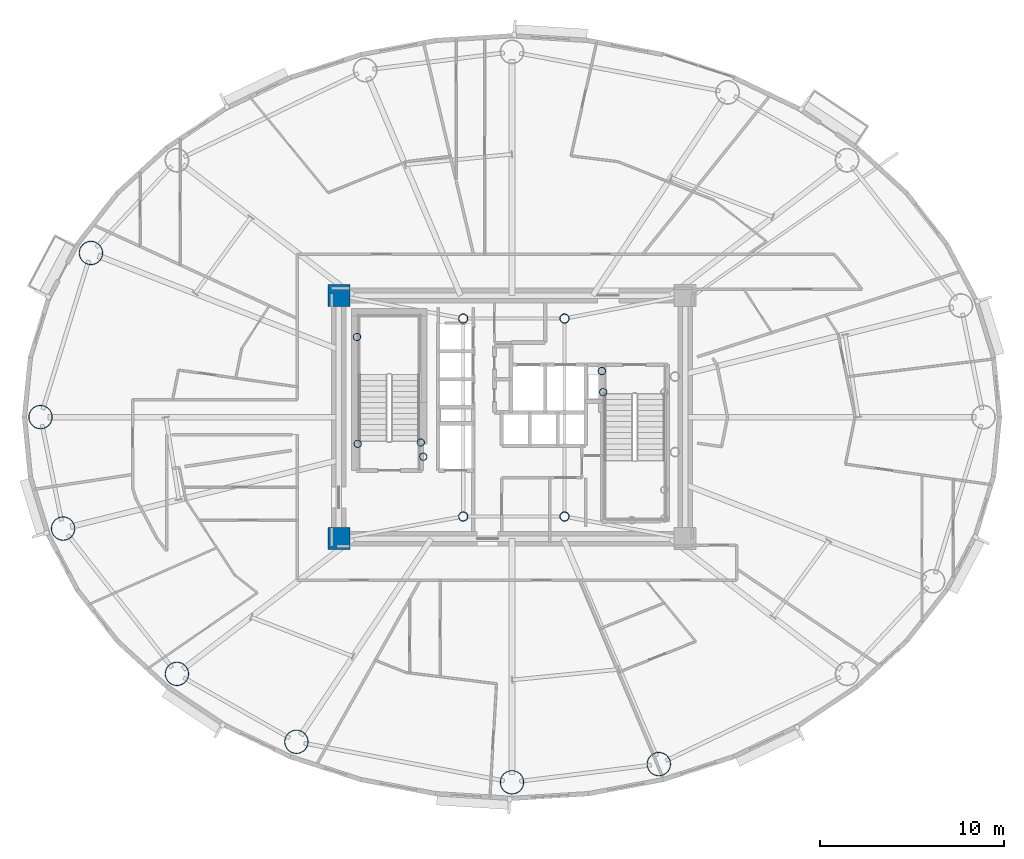
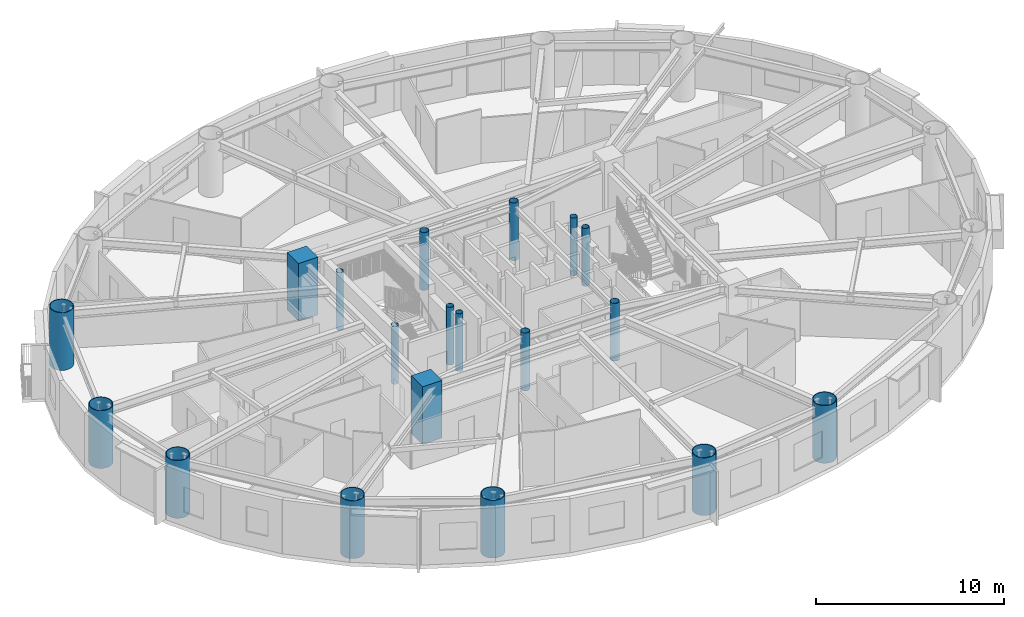
# One storey, part 1 of 21: 19 columns.
"""IFC4 building model written with IfcOpenShell, lengths in metres."""

from ifc_helpers import new_model, si_unit, direction, frame, origin, origin_2d, place, context, subcontext, project, spatial, rectangle, hollow_circle, extrude, material, material_profile, profile_set, type_object, element, save


model = new_model("IFC4")

# Units and contexts
model_context = context("Model", 3, precision=1e-05, world=origin(), true_north=direction((0.0, 1.0)))
body_context = subcontext(model_context, "Body", "Model", "MODEL_VIEW")
ifc_project = project(units=[si_unit("LENGTHUNIT", "METRE"), si_unit("AREAUNIT", "SQUARE_METRE"), si_unit("VOLUMEUNIT", "CUBIC_METRE"), si_unit("PLANEANGLEUNIT", "RADIAN"), si_unit("MASSUNIT", "GRAM", prefix="KILO")], contexts=[model_context])

# Site, building, storey
site_placement = place(None, origin())
site = spatial("IfcSite", under=ifc_project, at=site_placement, CompositionType="ELEMENT")
building_placement = place(site_placement, origin())
building = spatial("IfcBuilding", under=site, at=building_placement, Name="Linh Dai School and Residence Tower", CompositionType="ELEMENT")
storey_placement = place(building_placement, frame((0.0, 0.0, 156.14990234375)))
storey = spatial("IfcBuildingStorey", under=building, at=storey_placement, Name="L37", CompositionType="ELEMENT", Elevation=156.14990234375)

# Columns
ifc_material_1 = material(Name="Concrete B60 (C50/60)", Category="concrete")
ifc_material_profile_1 = material_profile(ifc_material_1, rectangle(XDim=1.199951171875, YDim=1.199951171875, at=origin_2d()), Name="RC 1200x1200")
ifc_profile_set_1 = profile_set([ifc_material_profile_1], Name="Concrete B60 (C50/60)")
column_type_1 = type_object("IfcColumnType", Name="COL-CC2", PredefinedType="COLUMN", material=ifc_profile_set_1)
for number, where, z_axis, x_axis, name in (
    (1, (26.60009765625, 20.39990234375, 0.0), (0.0, 0.0, 1.0), (1.0, 0.0, 0.0), "L37 Core Corner Pier CC1"),
    (2, (26.60009765625, 33.60009765625, 0.0), (0.0, 0.0, 1.0), (1.0, 0.0, 0.0), "L37 Core Corner Pier CC4"),
):
    element("IfcColumn", number, at=place(storey_placement, frame(where, z_axis=z_axis, x_axis=x_axis)), inside=storey, type_object=column_type_1, Name=name, PredefinedType="COLUMN", context=body_context, shape_type="SweptSolid", body=[
        extrude(rectangle(XDim=1.199951171875, YDim=1.199951171875, at=origin_2d()), origin(), (0.0, 0.0, 1.0), 3.75),
    ])
ifc_material_2 = material(Name="Structural Steel S355JR", Category="steel")
ifc_material_profile_2 = material_profile(ifc_material_2, hollow_circle(Radius=0.203125, WallThickness=0.01611328125, at=origin_2d()), Name="CHS 406.4x16")
ifc_profile_set_2 = profile_set([ifc_material_profile_2], Name="Structural Steel S355JR")
column_type_2 = type_object("IfcColumnType", Name="COL-EC", PredefinedType="COLUMN", material=ifc_profile_set_2)
for number, where, z_axis, x_axis, name in (
    (3, (27.580078125, 31.35009765625, 0.0), (0.0, 0.0, 1.0), (1.0, 0.0, 0.0), "L37 Stair Shaft Landing Support Pier ST1NW"),
    (4, (31.050048828125, 25.6201171875, 0.0), (0.0, 0.0, 1.0), (1.0, 0.0, 0.0), "L37 Stair Shaft Landing Support Pier ST1SE"),
    (5, (31.179931640625, 24.85009765625, 0.0), (0.0, 0.0, 1.0), (1.0, 0.0, 0.0), "L37 Stair Shaft Landing Support Pier ST1SM"),
    (6, (27.6201171875, 25.550048828125, 0.0), (0.0, 0.0, 1.0), (1.0, 0.0, 0.0), "L37 Stair Shaft Landing Support Pier ST1SW"),
    (7, (40.949951171875, 28.35009765625, 0.0), (0.0, 0.0, 1.0), (1.0, 0.0, 0.0), "L37 Stair Shaft Landing Support Pier ST2N1"),
    (8, (40.8798828125, 29.5, 0.0), (0.0, 0.0, 1.0), (1.0, 0.0, 0.0), "L37 Stair Shaft Landing Support Pier ST2N3"),
):
    element("IfcColumn", number, at=place(storey_placement, frame(where, z_axis=z_axis, x_axis=x_axis)), inside=storey, type_object=column_type_2, Name=name, PredefinedType="COLUMN", context=body_context, shape_type="SweptSolid", body=[
        extrude(hollow_circle(Radius=0.203125, WallThickness=0.01611328125, at=origin_2d()), origin(), (0.0, 0.0, 1.0), 3.75),
    ])
ifc_material_profile_3 = material_profile(ifc_material_2, hollow_circle(Radius=0.64990234375, WallThickness=0.0400390625, at=origin_2d()), Name="CHS 1300x40")
ifc_profile_set_3 = profile_set([ifc_material_profile_3], Name="Structural Steel S355JR")
column_type_3 = type_object("IfcColumnType", Name="COL-MC4", PredefinedType="COLUMN", material=ifc_profile_set_3)
for number, where, z_axis, x_axis, name in (
    (9, (13.137451171875, 35.9111328125, 0.0), (0.0, 0.0, 1.0), (1.0, 0.0, 0.0), "L37 Perimeter CFT Mega-Column MC08"),
    (10, (10.39990234375, 27.0, 0.0), (0.0, 0.0, 1.0), (1.0, 0.0, 0.0), "L37 Perimeter CFT Mega-Column MC09"),
    (11, (11.62548828125, 20.946533203125, 0.0), (0.0, 0.0, 1.0), (1.0, 0.0, 0.0), "L37 Perimeter CFT Mega-Column MC10"),
    (12, (17.8076171875, 13.058349609375, 0.0), (0.0, 0.0, 1.0), (1.0, 0.0, 0.0), "L37 Perimeter CFT Mega-Column MC11"),
    (13, (24.29443359375, 9.369140625, 0.0), (0.0, 0.0, 1.0), (1.0, 0.0, 0.0), "L37 Perimeter CFT Mega-Column MC12"),
    (14, (36.0, 7.169921875, 0.0), (0.0, 0.0, 1.0), (1.0, 0.0, 0.0), "L37 Perimeter CFT Mega-Column MC13"),
    (15, (43.973388671875, 8.15869140625, 0.0), (0.0, 0.0, 1.0), (1.0, 0.0, 0.0), "L37 Perimeter CFT Mega-Column MC14"),
):
    element("IfcColumn", number, at=place(storey_placement, frame(where, z_axis=z_axis, x_axis=x_axis)), inside=storey, type_object=column_type_3, Name=name, PredefinedType="COLUMN", context=body_context, shape_type="SweptSolid", body=[
        extrude(hollow_circle(Radius=0.64990234375, WallThickness=0.0400390625, at=origin_2d()), origin(), (0.0, 0.0, 1.0), 3.75),
    ])
ifc_material_profile_4 = material_profile(ifc_material_2, hollow_circle(Radius=0.25390625, WallThickness=0.02001953125, at=origin_2d()), Name="CHS 508x20")
ifc_profile_set_4 = profile_set([ifc_material_profile_4], Name="Structural Steel S355JR")
column_type_4 = type_object("IfcColumnType", Name="COL-MCP", PredefinedType="COLUMN", material=ifc_profile_set_4)
for number, where, z_axis, x_axis, name in (
    (16, (33.35009765625, 21.60009765625, 0.0), (0.0, 0.0, 1.0), (1.0, 0.0, 0.0), "L37 Core Mast Support Pier MCP1"),
    (17, (38.85009765625, 21.60009765625, 0.0), (0.0, 0.0, 1.0), (1.0, 0.0, 0.0), "L37 Core Mast Support Pier MCP2"),
    (18, (38.85009765625, 32.35009765625, 0.0), (0.0, 0.0, 1.0), (1.0, 0.0, 0.0), "L37 Core Mast Support Pier MCP3"),
    (19, (33.35009765625, 32.35009765625, 0.0), (0.0, 0.0, 1.0), (1.0, 0.0, 0.0), "L37 Core Mast Support Pier MCP4"),
):
    element("IfcColumn", number, at=place(storey_placement, frame(where, z_axis=z_axis, x_axis=x_axis)), inside=storey, type_object=column_type_4, Name=name, PredefinedType="COLUMN", context=body_context, shape_type="SweptSolid", body=[
        extrude(hollow_circle(Radius=0.25390625, WallThickness=0.02001953125, at=origin_2d()), origin(), (0.0, 0.0, 1.0), 3.75),
    ])

save(model, "model.ifc")
